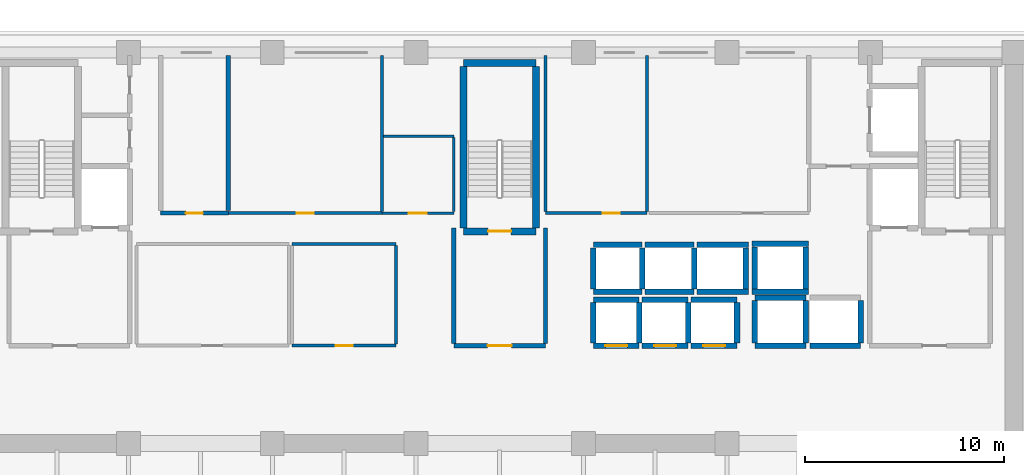
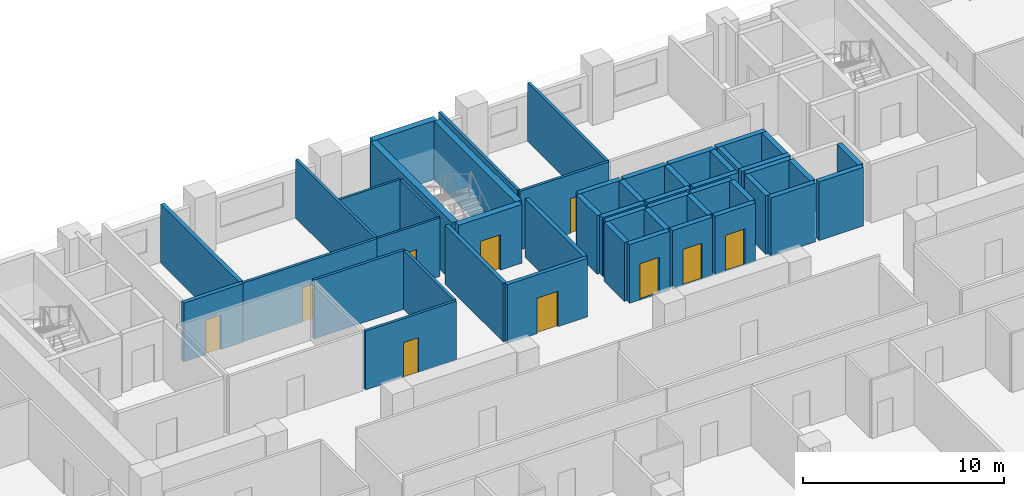
# One storey, part 7 of 15: 50 walls, 10 doors, 10 openings.
"""IFC4 building model written with IfcOpenShell, lengths in metres."""

from ifc_helpers import new_model, si_unit, direction, frame, frame_2d, origin, place, context, subcontext, project, spatial, rectangle, extrude, material, layer, layer_set, type_object, element, fill, save


model = new_model("IFC4")

# Units and contexts
model_context = context("Model", 3, precision=1e-05, world=origin(), true_north=direction((0.0, 1.0)))
body_context = subcontext(model_context, "Body", "Model", "MODEL_VIEW")
ifc_project = project(units=[si_unit("LENGTHUNIT", "METRE"), si_unit("AREAUNIT", "SQUARE_METRE"), si_unit("VOLUMEUNIT", "CUBIC_METRE"), si_unit("PLANEANGLEUNIT", "RADIAN"), si_unit("MASSUNIT", "GRAM", prefix="KILO")], contexts=[model_context])

# Site, building, storey
site_placement = place(None, origin())
site = spatial("IfcSite", under=ifc_project, at=site_placement, CompositionType="ELEMENT")
building_placement = place(site_placement, origin())
building = spatial("IfcBuilding", under=site, at=building_placement, Name="Kaelvorn Grand Hotel", CompositionType="ELEMENT")
storey_placement = place(building_placement, frame((0.0, 0.0, 177.14990234375)))
storey = spatial("IfcBuildingStorey", under=building, at=storey_placement, Name="L43", CompositionType="ELEMENT", Elevation=177.14990234375)

# Wall, opening, door
ifc_material_1 = material(Name="Moisture-Resistant Tile & Stud Board")
ifc_layer_1 = layer(ifc_material_1, 0.125)
ifc_layer_set_1 = layer_set([ifc_layer_1], Name="Moisture-Resistant Tile & Stud Board")
wall_type_1 = type_object("IfcWallType", Name="WL-PART-125-WET", PredefinedType="PARTITIONING", material=ifc_layer_set_1)
wall_1_placement = place(storey_placement, frame((36.110107421875, 40.949951171875, 0.0), z_axis=(0.0, 0.0, 1.0), x_axis=(1.0, 0.0, 0.0)))
wall_1 = element("IfcWall", 1, at=wall_1_placement, inside=storey, type_object=wall_type_1, Name="L43 Accessible WC S Partition", PredefinedType="PARTITIONING", context=body_context, shape_type="SweptSolid", body=[
    extrude(rectangle(XDim=3.58984375, YDim=0.125, at=frame_2d((1.794921875, 0.0))), origin(), (0.0, 0.0, 1.0), 3.56005859375),
])
opening_1_placement = place(wall_1_placement, frame((1.340087890625, 0.0, 0.0)))
opening_1 = element("IfcOpeningElement", 2, at=opening_1_placement, cuts=wall_1, Name="Opening DI4", PredefinedType="OPENING", context=body_context, shape_type="SweptSolid", body=[
    extrude(rectangle(XDim=0.89990234375, YDim=2.10009765625, at=frame_2d((0.449951171875, 1.050048828125))), frame((0.0, 0.072509765625, 0.0), z_axis=(0.0, -1.0, 0.0), x_axis=(1.0, 0.0, 0.0)), (0.0, 0.0, 1.0), 0.14501953125),
])
ifc_material_2 = material(Name="Timber Veneer Leaf", Category="wood")
door_type_1 = type_object("IfcDoorType", Name="DR-INT-BATH-900x2100", OperationType="NOTDEFINED", PredefinedType="DOOR", material=ifc_material_2)
door_1_placement = place(opening_1_placement, origin())
door_1 = element("IfcDoor", 3, at=door_1_placement, inside=storey, type_object=door_type_1, Name="L43 Accessible WC Door", OperationType="SINGLE_SWING_RIGHT", OverallHeight=2.10009765625, OverallWidth=0.89990234375, PredefinedType="DOOR", context=body_context, shape_type="SweptSolid", body=[
    extrude(rectangle(XDim=0.89990234375, YDim=2.10009765625, at=frame_2d((0.449951171875, 1.050048828125))), frame((0.0, 0.02490234375, 0.0), z_axis=(0.0, -1.0, 0.0), x_axis=(1.0, 0.0, 0.0)), (0.0, 0.0, 1.0), 0.050048828125),
])
fill(opening_1, door_1)

# Walls
wall_2_placement = place(storey_placement, frame((36.179931640625, 44.800048828125, 0.0), z_axis=(0.0, 0.0, 1.0), x_axis=(1.0, 0.0, 0.0)))
element("IfcWall", 4, at=wall_2_placement, inside=storey, type_object=wall_type_1, Name="L43 Accessible WC N Partition", PredefinedType="PARTITIONING", context=body_context, shape_type="SweptSolid", body=[
    extrude(rectangle(XDim=3.52001953125, YDim=0.125, at=frame_2d((1.760009765625, 0.0))), origin(), (0.0, 0.0, 1.0), 3.56005859375),
])
wall_3_placement = place(storey_placement, frame((39.699951171875, 41.017578125, 0.0), z_axis=(0.0, 0.0, 1.0), x_axis=(0.0, 1.0, 0.0)))
element("IfcWall", 5, at=wall_3_placement, inside=storey, type_object=wall_type_1, Name="L43 Accessible WC E Partition", PredefinedType="PARTITIONING", context=body_context, shape_type="SweptSolid", body=[
    extrude(rectangle(XDim=3.71484375, YDim=0.125, at=frame_2d((1.857421875, 0.0))), origin(), (0.0, 0.0, 1.0), 3.56005859375),
])

# Wall, opening, door
ifc_material_3 = material(Name="Acoustic Gypsum & Stud Partition")
ifc_layer_2 = layer(ifc_material_3, 0.14990234375)
ifc_layer_set_2 = layer_set([ifc_layer_2], Name="Acoustic Gypsum & Stud Partition")
wall_type_2 = type_object("IfcWallType", Name="WL-PART-150-EI60", PredefinedType="PARTITIONING", material=ifc_layer_set_2)
wall_4_placement = place(storey_placement, frame((31.60009765625, 34.300048828125, 0.0), z_axis=(0.0, 0.0, 1.0), x_axis=(1.0, 0.0, 0.0)))
wall_4 = element("IfcWall", 6, at=wall_4_placement, inside=storey, type_object=wall_type_2, Name="L43 Core Telecoms & BMS Server Room S Partition", PredefinedType="PARTITIONING", context=body_context, shape_type="SweptSolid", body=[
    extrude(rectangle(XDim=5.199951171875, YDim=0.14990234375, at=frame_2d((2.60009765625, 0.0))), origin(), (0.0, 0.0, 1.0), 3.56005859375),
])
opening_2_placement = place(wall_4_placement, frame((2.175048828125, 0.0, 0.0)))
opening_2 = element("IfcOpeningElement", 7, at=opening_2_placement, cuts=wall_4, Name="Opening DI7", PredefinedType="OPENING", context=body_context, shape_type="SweptSolid", body=[
    extrude(rectangle(XDim=0.85009765625, YDim=2.10009765625, at=frame_2d((0.425048828125, 1.050048828125))), frame((0.0, 0.0849609375, 0.0), z_axis=(0.0, -1.0, 0.0), x_axis=(1.0, 0.0, 0.0)), (0.0, 0.0, 1.0), 0.169921875),
])
ifc_material_4 = material(Name="Powder-Coated Steel Leaf", Category="steel")
door_type_2 = type_object("IfcDoorType", Name="DR-INT-RISER-850x2100", OperationType="NOTDEFINED", PredefinedType="DOOR", material=ifc_material_4)
door_2_placement = place(opening_2_placement, origin())
door_2 = element("IfcDoor", 8, at=door_2_placement, inside=storey, type_object=door_type_2, Name="L43 Core Telecoms & BMS Server Room Door", OperationType="SINGLE_SWING_RIGHT", OverallHeight=2.10009765625, OverallWidth=0.85009765625, PredefinedType="DOOR", context=body_context, shape_type="SweptSolid", body=[
    extrude(rectangle(XDim=0.85009765625, YDim=2.10009765625, at=frame_2d((0.425048828125, 1.050048828125))), frame((0.0, 0.02490234375, 0.0), z_axis=(0.0, -1.0, 0.0), x_axis=(1.0, 0.0, 0.0)), (0.0, 0.0, 1.0), 0.050048828125),
])
fill(opening_2, door_2)

# Walls
wall_5_placement = place(storey_placement, frame((31.60009765625, 39.39990234375, 0.0), z_axis=(0.0, 0.0, 1.0), x_axis=(1.0, 0.0, 0.0)))
element("IfcWall", 9, at=wall_5_placement, inside=storey, type_object=wall_type_2, Name="L43 Core Telecoms & BMS Server Room N Partition", PredefinedType="PARTITIONING", context=body_context, shape_type="SweptSolid", body=[
    extrude(rectangle(XDim=5.199951171875, YDim=0.14990234375, at=frame_2d((2.60009765625, 0.0))), origin(), (0.0, 0.0, 1.0), 3.56005859375),
])
wall_6_placement = place(storey_placement, frame((36.800048828125, 34.3798828125, 0.0), z_axis=(0.0, 0.0, 1.0), x_axis=(0.0, 1.0, 0.0)))
element("IfcWall", 10, at=wall_6_placement, inside=storey, type_object=wall_type_2, Name="L43 Core Telecoms & BMS Server Room E Partition", PredefinedType="PARTITIONING", context=body_context, shape_type="SweptSolid", body=[
    extrude(rectangle(XDim=4.940185546875, YDim=0.14990234375, at=frame_2d((2.47021484375, 0.0))), origin(), (0.0, 0.0, 1.0), 3.56005859375),
])

# Wall, opening, door
wall_7_placement = place(storey_placement, frame((28.409912109375, 40.949951171875, 0.0), z_axis=(0.0, 0.0, 1.0), x_axis=(1.0, 0.0, 0.0)))
wall_7 = element("IfcWall", 11, at=wall_7_placement, inside=storey, type_object=wall_type_2, Name="L43 Housekeeping & Linen Room S Partition", PredefinedType="PARTITIONING", context=body_context, shape_type="SweptSolid", body=[
    extrude(rectangle(XDim=7.690185546875, YDim=0.14990234375, at=frame_2d((3.84521484375, 0.0))), origin(), (0.0, 0.0, 1.0), 3.56005859375),
])
opening_3_placement = place(wall_7_placement, frame((3.4150390625, 0.0, 0.0)))
opening_3 = element("IfcOpeningElement", 12, at=opening_3_placement, cuts=wall_7, Name="Opening DI7", PredefinedType="OPENING", context=body_context, shape_type="SweptSolid", body=[
    extrude(rectangle(XDim=0.85009765625, YDim=2.10009765625, at=frame_2d((0.425048828125, 1.050048828125))), frame((0.0, 0.0849609375, 0.0), z_axis=(0.0, -1.0, 0.0), x_axis=(1.0, 0.0, 0.0)), (0.0, 0.0, 1.0), 0.169921875),
])
door_3_placement = place(opening_3_placement, origin())
door_3 = element("IfcDoor", 13, at=door_3_placement, inside=storey, type_object=door_type_2, Name="L43 Housekeeping & Linen Room Door", OperationType="SINGLE_SWING_LEFT", OverallHeight=2.10009765625, OverallWidth=0.85009765625, PredefinedType="DOOR", context=body_context, shape_type="SweptSolid", body=[
    extrude(rectangle(XDim=0.85009765625, YDim=2.10009765625, at=frame_2d((0.425048828125, 1.050048828125))), frame((0.0, 0.02490234375, 0.0), z_axis=(0.0, -1.0, 0.0), x_axis=(1.0, 0.0, 0.0)), (0.0, 0.0, 1.0), 0.050048828125),
])
fill(opening_3, door_3)

# Wall
wall_8_placement = place(storey_placement, frame((36.10009765625, 41.030029296875, 0.0), z_axis=(0.0, 0.0, 1.0), x_axis=(0.0, 1.0, 0.0)))
element("IfcWall", 14, at=wall_8_placement, inside=storey, type_object=wall_type_2, Name="L43 Housekeeping & Linen Room E Partition", PredefinedType="PARTITIONING", context=body_context, shape_type="SweptSolid", body=[
    extrude(rectangle(XDim=7.820068359375, YDim=0.14990234375, at=frame_2d((3.91015625, 0.0))), origin(), (0.0, 0.0, 1.0), 3.56005859375),
])

# Wall, opening, door
wall_9_placement = place(storey_placement, frame((44.300048828125, 40.949951171875, 0.0), z_axis=(0.0, 0.0, 1.0), x_axis=(1.0, 0.0, 0.0)))
wall_9 = element("IfcWall", 15, at=wall_9_placement, inside=storey, type_object=wall_type_2, Name="L43 Laundry Chute Vestibule S Partition", PredefinedType="PARTITIONING", context=body_context, shape_type="SweptSolid", body=[
    extrude(rectangle(XDim=5.099853515625, YDim=0.14990234375, at=frame_2d((2.5498046875, 0.0))), origin(), (0.0, 0.0, 1.0), 3.56005859375),
])
opening_4_placement = place(wall_9_placement, frame((2.875, 0.0, 0.0)))
opening_4 = element("IfcOpeningElement", 16, at=opening_4_placement, cuts=wall_9, Name="Opening DI7", PredefinedType="OPENING", context=body_context, shape_type="SweptSolid", body=[
    extrude(rectangle(XDim=0.85009765625, YDim=2.10009765625, at=frame_2d((0.425048828125, 1.050048828125))), frame((0.0, 0.0849609375, 0.0), z_axis=(0.0, -1.0, 0.0), x_axis=(1.0, 0.0, 0.0)), (0.0, 0.0, 1.0), 0.169921875),
])
door_4_placement = place(opening_4_placement, origin())
door_4 = element("IfcDoor", 17, at=door_4_placement, inside=storey, type_object=door_type_2, Name="L43 Laundry Chute Vestibule Door", OperationType="SINGLE_SWING_LEFT", OverallHeight=2.10009765625, OverallWidth=0.85009765625, PredefinedType="DOOR", context=body_context, shape_type="SweptSolid", body=[
    extrude(rectangle(XDim=0.85009765625, YDim=2.10009765625, at=frame_2d((0.425048828125, 1.050048828125))), frame((0.0, 0.02490234375, 0.0), z_axis=(0.0, -1.0, 0.0), x_axis=(1.0, 0.0, 0.0)), (0.0, 0.0, 1.0), 0.050048828125),
])
fill(opening_4, door_4)

# Walls
for number, where, z_axis, x_axis, name in (
    (18, (44.300048828125, 41.030029296875, 0.0), (0.0, 0.0, 1.0), (0.0, 1.0, 0.0), "L43 Laundry Chute Vestibule W Partition"),
    (19, (49.39990234375, 41.030029296875, 0.0), (0.0, 0.0, 1.0), (0.0, 1.0, 0.0), "L43 Laundry Chute Vestibule E Partition"),
):
    element("IfcWall", number, at=place(storey_placement, frame(where, z_axis=z_axis, x_axis=x_axis)), inside=storey, type_object=wall_type_2, Name=name, PredefinedType="PARTITIONING", context=body_context, shape_type="SweptSolid", body=[
        extrude(rectangle(XDim=7.820068359375, YDim=0.14990234375, at=frame_2d((3.91015625, 0.0))), origin(), (0.0, 0.0, 1.0), 3.56005859375),
    ])

# Wall, opening, door
ifc_material_5 = material(Name="Concrete C40/50", Category="concrete")
ifc_layer_3 = layer(ifc_material_5, 0.219970703125)
ifc_layer_set_3 = layer_set([ifc_layer_3], Name="Concrete C40/50")
wall_type_3 = type_object("IfcWallType", Name="WL-PART-220-EI120", PredefinedType="PARTITIONING", material=ifc_layer_set_3)
wall_10_placement = place(storey_placement, frame((39.699951171875, 34.300048828125, 0.0), z_axis=(0.0, 0.0, 1.0), x_axis=(1.0, 0.0, 0.0)))
wall_10 = element("IfcWall", 20, at=wall_10_placement, inside=storey, type_object=wall_type_3, Name="L43 Central Stair Escape Vestibule S Partition", PredefinedType="PARTITIONING", context=body_context, shape_type="SweptSolid", body=[
    extrude(rectangle(XDim=4.60009765625, YDim=0.219970703125, at=frame_2d((2.300048828125, 0.0))), origin(), (0.0, 0.0, 1.0), 3.56005859375),
])
opening_5_placement = place(wall_10_placement, frame((1.699951171875, 0.0, 0.0)))
opening_5 = element("IfcOpeningElement", 21, at=opening_5_placement, cuts=wall_10, Name="Opening DI2", PredefinedType="OPENING", context=body_context, shape_type="SweptSolid", body=[
    extrude(rectangle(XDim=1.199951171875, YDim=2.14990234375, at=frame_2d((0.60009765625, 1.074951171875))), frame((0.0, 0.1201171875, 0.0), z_axis=(0.0, -1.0, 0.0), x_axis=(1.0, 0.0, 0.0)), (0.0, 0.0, 1.0), 0.239990234375),
])
ifc_material_6 = material(Name="Timber Veneer Fire Leaf", Category="wood")
door_type_3 = type_object("IfcDoorType", Name="DR-INT-FFLOB-1200x2150", OperationType="NOTDEFINED", PredefinedType="DOOR", material=ifc_material_6)
door_5_placement = place(opening_5_placement, origin())
door_5 = element("IfcDoor", 22, at=door_5_placement, inside=storey, type_object=door_type_3, Name="L43 Central Stair Escape Vestibule Door", OperationType="SINGLE_SWING_RIGHT", OverallHeight=2.14990234375, OverallWidth=1.199951171875, PredefinedType="DOOR", context=body_context, shape_type="SweptSolid", body=[
    extrude(rectangle(XDim=1.199951171875, YDim=2.14990234375, at=frame_2d((0.60009765625, 1.074951171875))), frame((0.0, 0.02490234375, 0.0), z_axis=(0.0, -1.0, 0.0), x_axis=(1.0, 0.0, 0.0)), (0.0, 0.0, 1.0), 0.050048828125),
])
fill(opening_5, door_5)

# Walls
for number, where, z_axis, x_axis, name in (
    (23, (39.699951171875, 34.4150390625, 0.0), (0.0, 0.0, 1.0), (0.0, 1.0, 0.0), "L43 Central Stair Escape Vestibule W Partition"),
    (24, (44.300048828125, 34.4150390625, 0.0), (0.0, 0.0, 1.0), (0.0, 1.0, 0.0), "L43 Central Stair Escape Vestibule E Partition"),
):
    element("IfcWall", number, at=place(storey_placement, frame(where, z_axis=z_axis, x_axis=x_axis)), inside=storey, type_object=wall_type_3, Name=name, PredefinedType="PARTITIONING", context=body_context, shape_type="SweptSolid", body=[
        extrude(rectangle(XDim=5.784912109375, YDim=0.219970703125, at=frame_2d((2.892578125, 0.0))), origin(), (0.0, 0.0, 1.0), 3.56005859375),
    ])

# Wall, opening, door
wall_11_placement = place(storey_placement, frame((25.0, 40.949951171875, 0.0), z_axis=(0.0, 0.0, 1.0), x_axis=(1.0, 0.0, 0.0)))
wall_11 = element("IfcWall", 25, at=wall_11_placement, inside=storey, type_object=wall_type_3, Name="L43 Electrical Distribution Room S Partition", PredefinedType="PARTITIONING", context=body_context, shape_type="SweptSolid", body=[
    extrude(rectangle(XDim=3.39990234375, YDim=0.219970703125, at=frame_2d((1.699951171875, 0.0))), origin(), (0.0, 0.0, 1.0), 3.56005859375),
])
opening_6_placement = place(wall_11_placement, frame((1.27490234375, 0.0, 0.0)))
opening_6 = element("IfcOpeningElement", 26, at=opening_6_placement, cuts=wall_11, Name="Opening DI7", PredefinedType="OPENING", context=body_context, shape_type="SweptSolid", body=[
    extrude(rectangle(XDim=0.85009765625, YDim=2.10009765625, at=frame_2d((0.425048828125, 1.050048828125))), frame((0.0, 0.1201171875, 0.0), z_axis=(0.0, -1.0, 0.0), x_axis=(1.0, 0.0, 0.0)), (0.0, 0.0, 1.0), 0.239990234375),
])
door_6_placement = place(opening_6_placement, origin())
door_6 = element("IfcDoor", 27, at=door_6_placement, inside=storey, type_object=door_type_2, Name="L43 Electrical Distribution Room Door", OperationType="SINGLE_SWING_RIGHT", OverallHeight=2.10009765625, OverallWidth=0.85009765625, PredefinedType="DOOR", context=body_context, shape_type="SweptSolid", body=[
    extrude(rectangle(XDim=0.85009765625, YDim=2.10009765625, at=frame_2d((0.425048828125, 1.050048828125))), frame((0.0, 0.02490234375, 0.0), z_axis=(0.0, -1.0, 0.0), x_axis=(1.0, 0.0, 0.0)), (0.0, 0.0, 1.0), 0.050048828125),
])
fill(opening_6, door_6)

# Wall
wall_12_placement = place(storey_placement, frame((28.39990234375, 41.06494140625, 0.0), z_axis=(0.0, 0.0, 1.0), x_axis=(0.0, 1.0, 0.0)))
element("IfcWall", 28, at=wall_12_placement, inside=storey, type_object=wall_type_3, Name="L43 Electrical Distribution Room E Partition", PredefinedType="PARTITIONING", context=body_context, shape_type="SweptSolid", body=[
    extrude(rectangle(XDim=7.78515625, YDim=0.219970703125, at=frame_2d((3.892578125, 0.0))), origin(), (0.0, 0.0, 1.0), 3.56005859375),
])

# Wall, opening, door
ifc_material_7 = material(Name="Concrete C50/60", Category="concrete")
ifc_layer_4 = layer(ifc_material_7, 0.280029296875)
ifc_layer_set_4 = layer_set([ifc_layer_4], Name="Concrete C50/60")
wall_type_4 = type_object("IfcWallType", Name="WL-SHAFT-280-C50", PredefinedType="SHEAR", material=ifc_layer_set_4)
wall_13_placement = place(storey_placement, frame((46.699951171875, 34.300048828125, 0.0), z_axis=(0.0, 0.0, 1.0), x_axis=(1.0, 0.0, 0.0)))
wall_13 = element("IfcWall", 29, at=wall_13_placement, inside=storey, type_object=wall_type_4, Name="L43 Lift PL-M1 Shaft South Wall", PredefinedType="SHEAR", context=body_context, shape_type="SweptSolid", body=[
    extrude(rectangle(XDim=2.300048828125, YDim=0.280029296875, at=frame_2d((1.14990234375, 0.0))), origin(), (0.0, 0.0, 1.0), 3.56005859375),
])
opening_7_placement = place(wall_13_placement, frame((0.60009765625, 0.0, 0.0)))
opening_7 = element("IfcOpeningElement", 30, at=opening_7_placement, cuts=wall_13, Name="Opening LD-PL-M1", PredefinedType="OPENING", context=body_context, shape_type="SweptSolid", body=[
    extrude(rectangle(XDim=1.10009765625, YDim=2.199951171875, at=frame_2d((0.550048828125, 1.10009765625))), frame((0.0, 0.14990234375, 0.0), z_axis=(0.0, -1.0, 0.0), x_axis=(1.0, 0.0, 0.0)), (0.0, 0.0, 1.0), 0.300048828125),
])
ifc_material_8 = material(Name="Stainless Steel", Category="steel")
door_type_4 = type_object("IfcDoorType", Name="DR-LIFT-PASS-1100x2200", OperationType="DOUBLE_DOOR_SLIDING", PredefinedType="DOOR", material=ifc_material_8)
door_7_placement = place(opening_7_placement, origin())
door_7 = element("IfcDoor", 31, at=door_7_placement, inside=storey, type_object=door_type_4, Name="L43 Lift PL-M1 Sliding Landing Door LD-PL-M1", OperationType="DOUBLE_DOOR_SLIDING", OverallHeight=2.199951171875, OverallWidth=1.10009765625, PredefinedType="DOOR", context=body_context, shape_type="SweptSolid", body=[
    extrude(rectangle(XDim=1.10009765625, YDim=2.199951171875, at=frame_2d((0.550048828125, 1.10009765625))), frame((0.0, 0.02490234375, 0.0), z_axis=(0.0, -1.0, 0.0), x_axis=(1.0, 0.0, 0.0)), (0.0, 0.0, 1.0), 0.050048828125),
])
fill(opening_7, door_7)

# Walls
wall_14_placement = place(storey_placement, frame((46.699951171875, 36.60009765625, 0.0), z_axis=(0.0, 0.0, 1.0), x_axis=(1.0, 0.0, 0.0)))
element("IfcWall", 32, at=wall_14_placement, inside=storey, type_object=wall_type_4, Name="L43 Lift PL-M1 Shaft North Wall", PredefinedType="SHEAR", context=body_context, shape_type="SweptSolid", body=[
    extrude(rectangle(XDim=2.300048828125, YDim=0.280029296875, at=frame_2d((1.14990234375, 0.0))), origin(), (0.0, 0.0, 1.0), 3.56005859375),
])
for number, where, z_axis, x_axis, name in (
    (33, (46.699951171875, 34.445068359375, 0.0), (0.0, 0.0, 1.0), (0.0, 1.0, 0.0), "L43 Lift PL-M1 Shaft West Wall"),
    (34, (49.0, 34.445068359375, 0.0), (0.0, 0.0, 1.0), (0.0, 1.0, 0.0), "L43 Lift PL-M1 Shaft East Wall"),
):
    element("IfcWall", number, at=place(storey_placement, frame(where, z_axis=z_axis, x_axis=x_axis)), inside=storey, type_object=wall_type_4, Name=name, PredefinedType="SHEAR", context=body_context, shape_type="SweptSolid", body=[
        extrude(rectangle(XDim=2.010009765625, YDim=0.280029296875, at=frame_2d((1.0048828125, 0.0))), origin(), (0.0, 0.0, 1.0), 3.56005859375),
    ])

# Wall, opening, door
wall_15_placement = place(storey_placement, frame((49.14990234375, 34.300048828125, 0.0), z_axis=(0.0, 0.0, 1.0), x_axis=(1.0, 0.0, 0.0)))
wall_15 = element("IfcWall", 35, at=wall_15_placement, inside=storey, type_object=wall_type_4, Name="L43 Lift PL-M2 Shaft South Wall", PredefinedType="SHEAR", context=body_context, shape_type="SweptSolid", body=[
    extrude(rectangle(XDim=2.300048828125, YDim=0.280029296875, at=frame_2d((1.14990234375, 0.0))), origin(), (0.0, 0.0, 1.0), 3.56005859375),
])
opening_8_placement = place(wall_15_placement, frame((0.60009765625, 0.0, 0.0)))
opening_8 = element("IfcOpeningElement", 36, at=opening_8_placement, cuts=wall_15, Name="Opening LD-PL-M2", PredefinedType="OPENING", context=body_context, shape_type="SweptSolid", body=[
    extrude(rectangle(XDim=1.10009765625, YDim=2.199951171875, at=frame_2d((0.550048828125, 1.10009765625))), frame((0.0, 0.14990234375, 0.0), z_axis=(0.0, -1.0, 0.0), x_axis=(1.0, 0.0, 0.0)), (0.0, 0.0, 1.0), 0.300048828125),
])
door_8_placement = place(opening_8_placement, origin())
door_8 = element("IfcDoor", 37, at=door_8_placement, inside=storey, type_object=door_type_4, Name="L43 Lift PL-M2 Sliding Landing Door LD-PL-M2", OperationType="DOUBLE_DOOR_SLIDING", OverallHeight=2.199951171875, OverallWidth=1.10009765625, PredefinedType="DOOR", context=body_context, shape_type="SweptSolid", body=[
    extrude(rectangle(XDim=1.10009765625, YDim=2.199951171875, at=frame_2d((0.550048828125, 1.10009765625))), frame((0.0, 0.02490234375, 0.0), z_axis=(0.0, -1.0, 0.0), x_axis=(1.0, 0.0, 0.0)), (0.0, 0.0, 1.0), 0.050048828125),
])
fill(opening_8, door_8)

# Walls
wall_16_placement = place(storey_placement, frame((49.14990234375, 36.60009765625, 0.0), z_axis=(0.0, 0.0, 1.0), x_axis=(1.0, 0.0, 0.0)))
element("IfcWall", 38, at=wall_16_placement, inside=storey, type_object=wall_type_4, Name="L43 Lift PL-M2 Shaft North Wall", PredefinedType="SHEAR", context=body_context, shape_type="SweptSolid", body=[
    extrude(rectangle(XDim=2.300048828125, YDim=0.280029296875, at=frame_2d((1.14990234375, 0.0))), origin(), (0.0, 0.0, 1.0), 3.56005859375),
])
wall_17_placement = place(storey_placement, frame((51.449951171875, 34.445068359375, 0.0), z_axis=(0.0, 0.0, 1.0), x_axis=(0.0, 1.0, 0.0)))
element("IfcWall", 39, at=wall_17_placement, inside=storey, type_object=wall_type_4, Name="L43 Lift PL-M2 Shaft East Wall", PredefinedType="SHEAR", context=body_context, shape_type="SweptSolid", body=[
    extrude(rectangle(XDim=2.010009765625, YDim=0.280029296875, at=frame_2d((1.0048828125, 0.0))), origin(), (0.0, 0.0, 1.0), 3.56005859375),
])

# Wall, opening, door
wall_18_placement = place(storey_placement, frame((51.60009765625, 34.300048828125, 0.0), z_axis=(0.0, 0.0, 1.0), x_axis=(1.0, 0.0, 0.0)))
wall_18 = element("IfcWall", 40, at=wall_18_placement, inside=storey, type_object=wall_type_4, Name="L43 Lift PL-M3 Shaft South Wall", PredefinedType="SHEAR", context=body_context, shape_type="SweptSolid", body=[
    extrude(rectangle(XDim=2.2998046875, YDim=0.280029296875, at=frame_2d((1.14990234375, 0.0))), origin(), (0.0, 0.0, 1.0), 3.56005859375),
])
opening_9_placement = place(wall_18_placement, frame((0.60009765625, 0.0, 0.0)))
opening_9 = element("IfcOpeningElement", 41, at=opening_9_placement, cuts=wall_18, Name="Opening LD-PL-M3", PredefinedType="OPENING", context=body_context, shape_type="SweptSolid", body=[
    extrude(rectangle(XDim=1.10009765625, YDim=2.199951171875, at=frame_2d((0.550048828125, 1.10009765625))), frame((0.0, 0.14990234375, 0.0), z_axis=(0.0, -1.0, 0.0), x_axis=(1.0, 0.0, 0.0)), (0.0, 0.0, 1.0), 0.300048828125),
])
door_9_placement = place(opening_9_placement, origin())
door_9 = element("IfcDoor", 42, at=door_9_placement, inside=storey, type_object=door_type_4, Name="L43 Lift PL-M3 Sliding Landing Door LD-PL-M3", OperationType="DOUBLE_DOOR_SLIDING", OverallHeight=2.199951171875, OverallWidth=1.10009765625, PredefinedType="DOOR", context=body_context, shape_type="SweptSolid", body=[
    extrude(rectangle(XDim=1.10009765625, YDim=2.199951171875, at=frame_2d((0.550048828125, 1.10009765625))), frame((0.0, 0.02490234375, 0.0), z_axis=(0.0, -1.0, 0.0), x_axis=(1.0, 0.0, 0.0)), (0.0, 0.0, 1.0), 0.050048828125),
])
fill(opening_9, door_9)

# Walls
wall_19_placement = place(storey_placement, frame((51.60009765625, 36.60009765625, 0.0), z_axis=(0.0, 0.0, 1.0), x_axis=(1.0, 0.0, 0.0)))
element("IfcWall", 43, at=wall_19_placement, inside=storey, type_object=wall_type_4, Name="L43 Lift PL-M3 Shaft North Wall", PredefinedType="SHEAR", context=body_context, shape_type="SweptSolid", body=[
    extrude(rectangle(XDim=2.2998046875, YDim=0.280029296875, at=frame_2d((1.14990234375, 0.0))), origin(), (0.0, 0.0, 1.0), 3.56005859375),
])
wall_20_placement = place(storey_placement, frame((53.89990234375, 34.445068359375, 0.0), z_axis=(0.0, 0.0, 1.0), x_axis=(0.0, 1.0, 0.0)))
element("IfcWall", 44, at=wall_20_placement, inside=storey, type_object=wall_type_4, Name="L43 Lift PL-M3 Shaft East Wall", PredefinedType="SHEAR", context=body_context, shape_type="SweptSolid", body=[
    extrude(rectangle(XDim=2.010009765625, YDim=0.280029296875, at=frame_2d((1.0048828125, 0.0))), origin(), (0.0, 0.0, 1.0), 3.56005859375),
])
for number, where, z_axis, x_axis, name in (
    (45, (46.699951171875, 37.0, 0.0), (0.0, 0.0, 1.0), (1.0, 0.0, 0.0), "L43 Lift SL-1 Shaft South Wall"),
    (46, (46.699951171875, 39.35009765625, 0.0), (0.0, 0.0, 1.0), (1.0, 0.0, 0.0), "L43 Lift SL-1 Shaft North Wall"),
):
    element("IfcWall", number, at=place(storey_placement, frame(where, z_axis=z_axis, x_axis=x_axis)), inside=storey, type_object=wall_type_4, Name=name, PredefinedType="SHEAR", context=body_context, shape_type="SweptSolid", body=[
        extrude(rectangle(XDim=2.449951171875, YDim=0.280029296875, at=frame_2d((1.22509765625, 0.0))), origin(), (0.0, 0.0, 1.0), 3.56005859375),
    ])
for number, where, z_axis, x_axis, name in (
    (47, (46.699951171875, 37.14501953125, 0.0), (0.0, 0.0, 1.0), (0.0, 1.0, 0.0), "L43 Lift SL-1 Shaft West Wall"),
    (48, (49.14990234375, 37.14501953125, 0.0), (0.0, 0.0, 1.0), (0.0, 1.0, 0.0), "L43 Lift SL-1 Shaft East Wall"),
):
    element("IfcWall", number, at=place(storey_placement, frame(where, z_axis=z_axis, x_axis=x_axis)), inside=storey, type_object=wall_type_4, Name=name, PredefinedType="SHEAR", context=body_context, shape_type="SweptSolid", body=[
        extrude(rectangle(XDim=2.06005859375, YDim=0.280029296875, at=frame_2d((1.030029296875, 0.0))), origin(), (0.0, 0.0, 1.0), 3.56005859375),
    ])
for number, where, z_axis, x_axis, name in (
    (49, (49.300048828125, 37.0, 0.0), (0.0, 0.0, 1.0), (1.0, 0.0, 0.0), "L43 Lift SL-2 Shaft South Wall"),
    (50, (49.300048828125, 39.35009765625, 0.0), (0.0, 0.0, 1.0), (1.0, 0.0, 0.0), "L43 Lift SL-2 Shaft North Wall"),
):
    element("IfcWall", number, at=place(storey_placement, frame(where, z_axis=z_axis, x_axis=x_axis)), inside=storey, type_object=wall_type_4, Name=name, PredefinedType="SHEAR", context=body_context, shape_type="SweptSolid", body=[
        extrude(rectangle(XDim=2.449951171875, YDim=0.280029296875, at=frame_2d((1.22509765625, 0.0))), origin(), (0.0, 0.0, 1.0), 3.56005859375),
    ])
wall_21_placement = place(storey_placement, frame((51.75, 37.14501953125, 0.0), z_axis=(0.0, 0.0, 1.0), x_axis=(0.0, 1.0, 0.0)))
element("IfcWall", 51, at=wall_21_placement, inside=storey, type_object=wall_type_4, Name="L43 Lift SL-2 Shaft East Wall", PredefinedType="SHEAR", context=body_context, shape_type="SweptSolid", body=[
    extrude(rectangle(XDim=2.06005859375, YDim=0.280029296875, at=frame_2d((1.030029296875, 0.0))), origin(), (0.0, 0.0, 1.0), 3.56005859375),
])
for number, where, z_axis, x_axis, name in (
    (52, (51.89990234375, 37.0, 0.0), (0.0, 0.0, 1.0), (1.0, 0.0, 0.0), "L43 Lift SL-3 Shaft South Wall"),
    (53, (51.89990234375, 39.35009765625, 0.0), (0.0, 0.0, 1.0), (1.0, 0.0, 0.0), "L43 Lift SL-3 Shaft North Wall"),
):
    element("IfcWall", number, at=place(storey_placement, frame(where, z_axis=z_axis, x_axis=x_axis)), inside=storey, type_object=wall_type_4, Name=name, PredefinedType="SHEAR", context=body_context, shape_type="SweptSolid", body=[
        extrude(rectangle(XDim=2.590087890625, YDim=0.280029296875, at=frame_2d((1.294921875, 0.0))), origin(), (0.0, 0.0, 1.0), 3.56005859375),
    ])
wall_22_placement = place(storey_placement, frame((54.35009765625, 37.14501953125, 0.0), z_axis=(0.0, 0.0, 1.0), x_axis=(0.0, 1.0, 0.0)))
element("IfcWall", 54, at=wall_22_placement, inside=storey, type_object=wall_type_4, Name="L43 Lift SL-3 Shaft East Wall", PredefinedType="SHEAR", context=body_context, shape_type="SweptSolid", body=[
    extrude(rectangle(XDim=2.06005859375, YDim=0.280029296875, at=frame_2d((1.030029296875, 0.0))), origin(), (0.0, 0.0, 1.0), 3.56005859375),
])
for number, where, z_axis, x_axis, name in (
    (55, (54.800048828125, 34.300048828125, 0.0), (0.0, 0.0, 1.0), (1.0, 0.0, 0.0), "L43 Lift OL-1 Shaft South Wall"),
    (56, (54.800048828125, 36.699951171875, 0.0), (0.0, 0.0, 1.0), (1.0, 0.0, 0.0), "L43 Lift OL-1 Shaft North Wall"),
):
    element("IfcWall", number, at=place(storey_placement, frame(where, z_axis=z_axis, x_axis=x_axis)), inside=storey, type_object=wall_type_4, Name=name, PredefinedType="SHEAR", context=body_context, shape_type="SweptSolid", body=[
        extrude(rectangle(XDim=2.550048828125, YDim=0.280029296875, at=frame_2d((1.27490234375, 0.0))), origin(), (0.0, 0.0, 1.0), 3.56005859375),
    ])
for number, where, z_axis, x_axis, name in (
    (57, (54.800048828125, 34.445068359375, 0.0), (0.0, 0.0, 1.0), (0.0, 1.0, 0.0), "L43 Lift OL-1 Shaft West Wall"),
    (58, (57.35009765625, 34.445068359375, 0.0), (0.0, 0.0, 1.0), (0.0, 1.0, 0.0), "L43 Lift OL-1 Shaft East Wall"),
):
    element("IfcWall", number, at=place(storey_placement, frame(where, z_axis=z_axis, x_axis=x_axis)), inside=storey, type_object=wall_type_4, Name=name, PredefinedType="SHEAR", context=body_context, shape_type="SweptSolid", body=[
        extrude(rectangle(XDim=2.10986328125, YDim=0.280029296875, at=frame_2d((1.054931640625, 0.0))), origin(), (0.0, 0.0, 1.0), 3.56005859375),
    ])
wall_23_placement = place(storey_placement, frame((57.550048828125, 34.300048828125, 0.0), z_axis=(0.0, 0.0, 1.0), x_axis=(1.0, 0.0, 0.0)))
element("IfcWall", 59, at=wall_23_placement, inside=storey, type_object=wall_type_4, Name="L43 Lift OL-2 Shaft South Wall", PredefinedType="SHEAR", context=body_context, shape_type="SweptSolid", body=[
    extrude(rectangle(XDim=2.550048828125, YDim=0.280029296875, at=frame_2d((1.27490234375, 0.0))), origin(), (0.0, 0.0, 1.0), 3.56005859375),
])
wall_24_placement = place(storey_placement, frame((60.10009765625, 34.445068359375, 0.0), z_axis=(0.0, 0.0, 1.0), x_axis=(0.0, 1.0, 0.0)))
element("IfcWall", 60, at=wall_24_placement, inside=storey, type_object=wall_type_4, Name="L43 Lift OL-2 Shaft East Wall", PredefinedType="SHEAR", context=body_context, shape_type="SweptSolid", body=[
    extrude(rectangle(XDim=2.10986328125, YDim=0.280029296875, at=frame_2d((1.054931640625, 0.0))), origin(), (0.0, 0.0, 1.0), 3.56005859375),
])
for number, where, z_axis, x_axis, name in (
    (61, (54.659912109375, 37.0, 0.0), (0.0, 0.0, 1.0), (1.0, 0.0, 0.0), "L43 Lift OL-3 Shaft South Wall"),
    (62, (54.659912109375, 39.39990234375, 0.0), (0.0, 0.0, 1.0), (1.0, 0.0, 0.0), "L43 Lift OL-3 Shaft North Wall"),
):
    element("IfcWall", number, at=place(storey_placement, frame(where, z_axis=z_axis, x_axis=x_axis)), inside=storey, type_object=wall_type_4, Name=name, PredefinedType="SHEAR", context=body_context, shape_type="SweptSolid", body=[
        extrude(rectangle(XDim=2.830078125, YDim=0.280029296875, at=frame_2d((1.4150390625, 0.0))), origin(), (0.0, 0.0, 1.0), 3.56005859375),
    ])
for number, where, z_axis, x_axis, name in (
    (63, (54.800048828125, 37.14501953125, 0.0), (0.0, 0.0, 1.0), (0.0, 1.0, 0.0), "L43 Lift OL-3 Shaft West Wall"),
    (64, (57.35009765625, 37.14501953125, 0.0), (0.0, 0.0, 1.0), (0.0, 1.0, 0.0), "L43 Lift OL-3 Shaft East Wall"),
):
    element("IfcWall", number, at=place(storey_placement, frame(where, z_axis=z_axis, x_axis=x_axis)), inside=storey, type_object=wall_type_4, Name=name, PredefinedType="SHEAR", context=body_context, shape_type="SweptSolid", body=[
        extrude(rectangle(XDim=2.10986328125, YDim=0.280029296875, at=frame_2d((1.054931640625, 0.0))), origin(), (0.0, 0.0, 1.0), 3.56005859375),
    ])

# Wall, opening, door
ifc_material_9 = material(Name="Concrete C60/75", Category="concrete")
ifc_layer_5 = layer(ifc_material_9, 0.35009765625)
ifc_layer_set_5 = layer_set([ifc_layer_5], Name="Concrete C60/75")
wall_type_5 = type_object("IfcWallType", Name="WL-SHAFT-350-C60", PredefinedType="SHEAR", material=ifc_layer_set_5)
wall_25_placement = place(storey_placement, frame((40.18505859375, 40.02490234375, 0.0), z_axis=(0.0, 0.0, 1.0), x_axis=(1.0, 0.0, 0.0)))
wall_25 = element("IfcWall", 65, at=wall_25_placement, inside=storey, type_object=wall_type_5, Name="L43 ST2 Stair Shaft South Wall", PredefinedType="SHEAR", context=body_context, shape_type="SweptSolid", body=[
    extrude(rectangle(XDim=3.6298828125, YDim=0.35009765625, at=frame_2d((1.81494140625, 0.0))), origin(), (0.0, 0.0, 1.0), 3.56005859375),
])
opening_10_placement = place(wall_25_placement, frame((1.239990234375, 0.0, 0.0)))
opening_10 = element("IfcOpeningElement", 66, at=opening_10_placement, cuts=wall_25, Name="Opening DI1", PredefinedType="OPENING", context=body_context, shape_type="SweptSolid", body=[
    extrude(rectangle(XDim=1.14990234375, YDim=2.14990234375, at=frame_2d((0.574951171875, 1.074951171875))), frame((0.0, 0.18505859375, 0.0), z_axis=(0.0, -1.0, 0.0), x_axis=(1.0, 0.0, 0.0)), (0.0, 0.0, 1.0), 0.3701171875),
])
door_type_5 = type_object("IfcDoorType", Name="DR-INT-STAIR-1150x2150", OperationType="NOTDEFINED", PredefinedType="DOOR", material=ifc_material_6)
door_10_placement = place(opening_10_placement, origin())
door_10 = element("IfcDoor", 67, at=door_10_placement, inside=storey, type_object=door_type_5, Name="L43 ST2 Exit Stair Fire Door", OperationType="SINGLE_SWING_RIGHT", OverallHeight=2.14990234375, OverallWidth=1.14990234375, PredefinedType="DOOR", context=body_context, shape_type="SweptSolid", body=[
    extrude(rectangle(XDim=1.14990234375, YDim=2.14990234375, at=frame_2d((0.574951171875, 1.074951171875))), frame((0.0, 0.02490234375, 0.0), z_axis=(0.0, -1.0, 0.0), x_axis=(1.0, 0.0, 0.0)), (0.0, 0.0, 1.0), 0.050048828125),
])
fill(opening_10, door_10)

# Walls
wall_26_placement = place(storey_placement, frame((40.18505859375, 48.47509765625, 0.0), z_axis=(0.0, 0.0, 1.0), x_axis=(1.0, 0.0, 0.0)))
element("IfcWall", 68, at=wall_26_placement, inside=storey, type_object=wall_type_5, Name="L43 ST2 Stair Shaft North Wall", PredefinedType="SHEAR", context=body_context, shape_type="SweptSolid", body=[
    extrude(rectangle(XDim=3.6298828125, YDim=0.35009765625, at=frame_2d((1.81494140625, 0.0))), origin(), (0.0, 0.0, 1.0), 3.56005859375),
])
for number, where, z_axis, x_axis, name in (
    (69, (40.18505859375, 40.205078125, 0.0), (0.0, 0.0, 1.0), (0.0, 1.0, 0.0), "L43 ST2 Stair Shaft West Wall"),
    (70, (43.81494140625, 40.205078125, 0.0), (0.0, 0.0, 1.0), (0.0, 1.0, 0.0), "L43 ST2 Stair Shaft East Wall"),
):
    element("IfcWall", number, at=place(storey_placement, frame(where, z_axis=z_axis, x_axis=x_axis)), inside=storey, type_object=wall_type_5, Name=name, PredefinedType="SHEAR", context=body_context, shape_type="SweptSolid", body=[
        extrude(rectangle(XDim=8.08984375, YDim=0.35009765625, at=frame_2d((4.044921875, 0.0))), origin(), (0.0, 0.0, 1.0), 3.56005859375),
    ])

save(model, "model.ifc")
